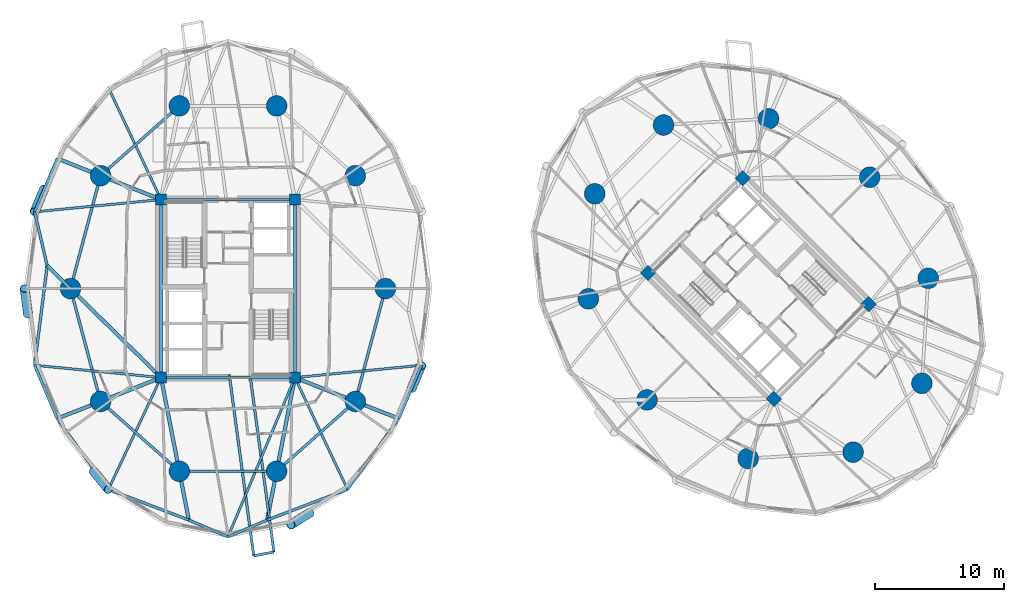
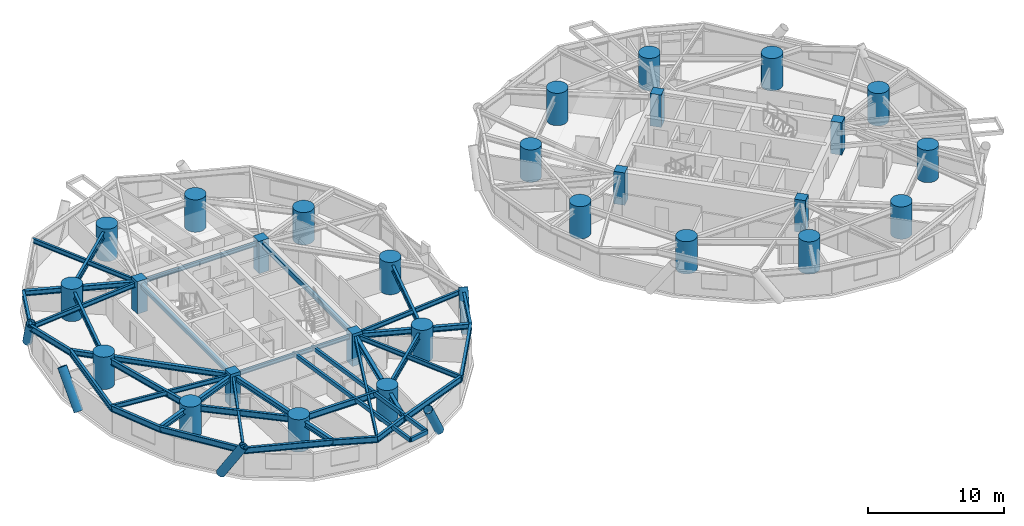
# One storey, part 1 of 18: 39 beams, 28 columns, 5 members.
"""IFC4 building model written with IfcOpenShell, lengths in metres."""

from ifc_helpers import new_model, si_unit, direction, frame, origin, origin_2d, place, context, subcontext, project, spatial, rectangle, hollow_rectangle, circle, hollow_circle, i_section, extrude, material, material_profile, profile_set, type_object, element, save


model = new_model("IFC4")

# Units and contexts
model_context = context("Model", 3, precision=1e-05, world=origin(), true_north=direction((0.0, 1.0)))
body_context = subcontext(model_context, "Body", "Model", "MODEL_VIEW")
ifc_project = project(units=[si_unit("LENGTHUNIT", "METRE"), si_unit("AREAUNIT", "SQUARE_METRE"), si_unit("VOLUMEUNIT", "CUBIC_METRE"), si_unit("PLANEANGLEUNIT", "RADIAN"), si_unit("MASSUNIT", "GRAM", prefix="KILO")], contexts=[model_context])

# Site, building, storey
site_placement = place(None, origin())
site = spatial("IfcSite", under=ifc_project, at=site_placement, CompositionType="ELEMENT")
building_placement = place(site_placement, origin())
building = spatial("IfcBuilding", under=site, at=building_placement, Name="Cununo Teusaquillo Station Towers", CompositionType="ELEMENT")
storey_placement = place(building_placement, frame((0.0, 0.0, 36.550048828125)))
storey = spatial("IfcBuildingStorey", under=building, at=storey_placement, Name="L10", CompositionType="ELEMENT", Elevation=36.550048828125)

# Columns
ifc_material_1 = material(Name="Concrete C50/60", Category="concrete")
ifc_material_profile_1 = material_profile(ifc_material_1, rectangle(XDim=0.85009765625, YDim=0.85009765625, at=origin_2d()), Name="RC-RECT-850x850")
ifc_profile_set_1 = profile_set([ifc_material_profile_1], Name="Concrete C50/60")
column_type_1 = type_object("IfcColumnType", Name="COL-CORE-Z1", PredefinedType="COLUMN", material=ifc_profile_set_1)
for number, where, z_axis, x_axis, name in (
    (1, (11.324951171875, 17.6201171875, 0.0), (0.0, 0.0, 1.0), (1.0, 0.0, 0.0), "L10 Tower A Core Column 1"),
    (2, (11.324951171875, 31.3798828125, 0.0), (0.0, 0.0, 1.0), (1.0, 0.0, 0.0), "L10 Tower A Core Column 2"),
    (3, (21.675048828125, 17.6201171875, 0.0), (0.0, 0.0, 1.0), (1.0, 0.0, 0.0), "L10 Tower A Core Column 3"),
    (4, (21.675048828125, 31.3798828125, 0.0), (0.0, 0.0, 1.0), (1.0, 0.0, 0.0), "L10 Tower A Core Column 4"),
    (5, (58.70556640625, 15.975830078125, 0.0), (0.0, 0.0, 1.0), (0.707106781187, 0.707106781187, 0.0), "L10 Tower B Core Column 1"),
    (6, (48.975830078125, 25.70556640625, 0.0), (0.0, 0.0, 1.0), (0.707106781187, 0.707106781187, 0.0), "L10 Tower B Core Column 2"),
    (7, (66.024169921875, 23.29443359375, 0.0), (0.0, 0.0, 1.0), (0.707106781187, 0.707106781187, 0.0), "L10 Tower B Core Column 3"),
    (8, (56.29443359375, 33.024169921875, 0.0), (0.0, 0.0, 1.0), (0.707106781187, 0.707106781187, 0.0), "L10 Tower B Core Column 4"),
):
    element("IfcColumn", number, at=place(storey_placement, frame(where, z_axis=z_axis, x_axis=x_axis)), inside=storey, type_object=column_type_1, Name=name, PredefinedType="COLUMN", context=body_context, shape_type="SweptSolid", body=[
        extrude(rectangle(XDim=0.85009765625, YDim=0.85009765625, at=origin_2d()), origin(), (0.0, 0.0, 1.0), 2.909912109375),
    ])
ifc_material_2 = material(Name="Concrete C60/75", Category="concrete")
ifc_material_profile_2 = material_profile(ifc_material_2, circle(Radius=0.800048828125, at=origin_2d()), Name="RC-CIRC-1600")
ifc_profile_set_2 = profile_set([ifc_material_profile_2], Name="Concrete C60/75")
column_type_2 = type_object("IfcColumnType", Name="COL-MEGA-Z1", PredefinedType="USERDEFINED", material=ifc_profile_set_2)
for number, where, z_axis, x_axis, name in (
    (9, (28.672119140625, 24.5, 0.0), (0.0, 0.0, 1.0), (1.0, 0.0, 0.0), "L10 Tower A Perimeter Column V00"),
    (10, (26.347412109375, 33.228515625, 0.0), (0.0, 0.0, 1.0), (1.0, 0.0, 0.0), "L10 Tower A Perimeter Column V02"),
    (11, (20.261474609375, 38.623291015625, 0.0), (0.0, 0.0, 1.0), (1.0, 0.0, 0.0), "L10 Tower A Perimeter Column V04"),
    (12, (12.738525390625, 38.623291015625, 0.0), (0.0, 0.0, 1.0), (1.0, 0.0, 0.0), "L10 Tower A Perimeter Column V06"),
    (13, (6.652587890625, 33.228515625, 0.0), (0.0, 0.0, 1.0), (1.0, 0.0, 0.0), "L10 Tower A Perimeter Column V08"),
    (14, (4.327880859375, 24.5, 0.0), (0.0, 0.0, 1.0), (1.0, 0.0, 0.0), "L10 Tower A Perimeter Column V10"),
    (15, (6.652587890625, 15.771484375, 0.0), (0.0, 0.0, 1.0), (1.0, 0.0, 0.0), "L10 Tower A Perimeter Column V12"),
    (16, (12.738525390625, 10.376708984375, 0.0), (0.0, 0.0, 1.0), (1.0, 0.0, 0.0), "L10 Tower A Perimeter Column V14"),
    (17, (20.261474609375, 10.376708984375, 0.0), (0.0, 0.0, 1.0), (1.0, 0.0, 0.0), "L10 Tower A Perimeter Column V16"),
    (18, (26.347412109375, 15.771484375, 0.0), (0.0, 0.0, 1.0), (1.0, 0.0, 0.0), "L10 Tower A Perimeter Column V18"),
    (19, (66.10693359375, 33.10693359375, 0.0), (0.0, 0.0, 1.0), (1.0, 0.0, 0.0), "L10 Tower B Perimeter Column V00"),
    (20, (58.291015625, 37.63525390625, 0.0), (0.0, 0.0, 1.0), (1.0, 0.0, 0.0), "L10 Tower B Perimeter Column V02"),
    (21, (50.173095703125, 37.146240234375, 0.0), (0.0, 0.0, 1.0), (1.0, 0.0, 0.0), "L10 Tower B Perimeter Column V04"),
    (22, (44.853759765625, 31.826904296875, 0.0), (0.0, 0.0, 1.0), (1.0, 0.0, 0.0), "L10 Tower B Perimeter Column V06"),
    (23, (44.36474609375, 23.708984375, 0.0), (0.0, 0.0, 1.0), (1.0, 0.0, 0.0), "L10 Tower B Perimeter Column V08"),
    (24, (48.89306640625, 15.89306640625, 0.0), (0.0, 0.0, 1.0), (1.0, 0.0, 0.0), "L10 Tower B Perimeter Column V10"),
    (25, (56.708984375, 11.36474609375, 0.0), (0.0, 0.0, 1.0), (1.0, 0.0, 0.0), "L10 Tower B Perimeter Column V12"),
    (26, (64.826904296875, 11.853759765625, 0.0), (0.0, 0.0, 1.0), (1.0, 0.0, 0.0), "L10 Tower B Perimeter Column V14"),
    (27, (70.146240234375, 17.173095703125, 0.0), (0.0, 0.0, 1.0), (1.0, 0.0, 0.0), "L10 Tower B Perimeter Column V16"),
    (28, (70.63525390625, 25.291015625, 0.0), (0.0, 0.0, 1.0), (1.0, 0.0, 0.0), "L10 Tower B Perimeter Column V18"),
):
    element("IfcColumn", number, at=place(storey_placement, frame(where, z_axis=z_axis, x_axis=x_axis)), inside=storey, type_object=column_type_2, Name=name, ObjectType="MEGA COLUMN", PredefinedType="USERDEFINED", context=body_context, shape_type="SweptSolid", body=[
        extrude(circle(Radius=0.800048828125, at=origin_2d()), origin(), (0.0, 0.0, 1.0), 2.909912109375),
    ])

# Beams
ifc_material_3 = material(Name="Steel EN 10025-2 S355J2", Category="steel")
ifc_material_profile_3 = material_profile(ifc_material_3, hollow_rectangle(XDim=0.199951171875, YDim=0.35009765625, WallThickness=0.013916015625, at=origin_2d()), Name="RHS 350x200x14")
ifc_profile_set_3 = profile_set([ifc_material_profile_3], Name="Steel EN 10025-2 S355J2")
beam_type_1 = type_object("IfcBeamType", Name="BM-BAL-CANT", PredefinedType="BEAM", material=ifc_profile_set_3)
beam_1_placement = place(storey_placement, frame((16.59765625, 17.85009765625, 2.474853515625), z_axis=(0.133963716843, -0.990986237326, 0.0), x_axis=(0.990986237326, 0.133963716843, 0.0)))
element("IfcBeam", 29, at=beam_1_placement, inside=storey, type_object=beam_type_1, Name="L10 Tower A Balcony Cantilever Bracket 2A", PredefinedType="BEAM", context=body_context, shape_type="SweptSolid", body=[
    extrude(hollow_rectangle(XDim=0.199951171875, YDim=0.35009765625, WallThickness=0.013916015625, at=origin_2d()), origin(), (0.0, 0.0, 1.0), 14.14208984375),
])
beam_2_placement = place(storey_placement, frame((18.200439453125, 17.85009765625, 2.474853515625), z_axis=(0.133965193427, -0.990986037717, 0.0), x_axis=(0.990986037717, 0.133965193427, 0.0)))
element("IfcBeam", 30, at=beam_2_placement, inside=storey, type_object=beam_type_1, Name="L10 Tower A Balcony Cantilever Bracket 2B", PredefinedType="BEAM", context=body_context, shape_type="SweptSolid", body=[
    extrude(hollow_rectangle(XDim=0.199951171875, YDim=0.35009765625, WallThickness=0.013916015625, at=origin_2d()), origin(), (0.0, 0.0, 1.0), 13.837646484375),
])
ifc_material_4 = material(Name="Steel EN 10025-2 S355J2", Category="steel")
ifc_material_profile_4 = material_profile(ifc_material_4, hollow_rectangle(XDim=0.25, YDim=0.449951171875, WallThickness=0.01611328125, at=origin_2d()), Name="RHS 450x250x16")
ifc_profile_set_4 = profile_set([ifc_material_profile_4], Name="Steel EN 10025-2 S355J2")
beam_type_2 = type_object("IfcBeamType", Name="BM-COUP-1", PredefinedType="USERDEFINED", material=ifc_profile_set_4)
for number, where, z_axis, x_axis, name in (
    (31, (11.324951171875, 17.6201171875, 2.425048828125), (0.0, 1.0, 0.0), (-1.0, 0.0, 0.0), "L10 Tower A Core Beam 1"),
    (32, (21.675048828125, 17.6201171875, 2.425048828125), (0.0, 1.0, 0.0), (-1.0, 0.0, 0.0), "L10 Tower A Core Beam 2"),
):
    element("IfcBeam", number, at=place(storey_placement, frame(where, z_axis=z_axis, x_axis=x_axis)), inside=storey, type_object=beam_type_2, Name=name, ObjectType="COUPLING BEAM", PredefinedType="USERDEFINED", context=body_context, shape_type="SweptSolid", body=[
        extrude(hollow_rectangle(XDim=0.25, YDim=0.449951171875, WallThickness=0.01611328125, at=origin_2d()), origin(), (0.0, 0.0, 1.0), 13.759765625),
    ])
ifc_material_5 = material(Name="Steel ASTM A572 Grade 50", Category="steel")
ifc_material_profile_5 = material_profile(ifc_material_5, i_section(OverallWidth=0.180908203125, OverallDepth=0.4169921875, WebThickness=0.010986328125, FlangeThickness=0.018310546875, FilletRadius=0.012939453125, at=origin_2d()), Name="W16X57")
ifc_profile_set_5 = profile_set([ifc_material_profile_5], Name="Steel ASTM A572 Grade 50")
beam_type_3 = type_object("IfcBeamType", Name="BM-JOIST-1", PredefinedType="JOIST", material=ifc_profile_set_5)
beam_3_placement = place(storey_placement, frame((11.324951171875, 31.3798828125, 2.44140625), z_axis=(-0.425472080871, 0.904971551155, 0.0), x_axis=(-0.904971551155, -0.425472080871, 0.0)))
element("IfcBeam", 33, at=beam_3_placement, inside=storey, type_object=beam_type_3, Name="L10 Tower A Radial Spandrel Joist V07", PredefinedType="JOIST", context=body_context, shape_type="SweptSolid", body=[
    extrude(i_section(OverallWidth=0.180908203125, OverallDepth=0.4169921875, WebThickness=0.010986328125, FlangeThickness=0.018310546875, FilletRadius=0.012939453125, at=origin_2d()), origin(), (0.0, 0.0, 1.0), 9.552734375),
])
for number, where, z_axis, x_axis, name in (
    (34, (11.324951171875, 31.3798828125, 2.44140625), (-0.995310719276, -0.096729375545, 0.0), (0.096729375545, -0.995310719276, 0.0), "L10 Tower A Radial Spandrel Joist V09"),
    (35, (11.324951171875, 17.6201171875, 2.44140625), (-0.995310719276, 0.096729375545, 0.0), (-0.096729375545, -0.995310719276, 0.0), "L10 Tower A Radial Spandrel Joist V11"),
):
    element("IfcBeam", number, at=place(storey_placement, frame(where, z_axis=z_axis, x_axis=x_axis)), inside=storey, type_object=beam_type_3, Name=name, PredefinedType="JOIST", context=body_context, shape_type="SweptSolid", body=[
        extrude(i_section(OverallWidth=0.180908203125, OverallDepth=0.4169921875, WebThickness=0.010986328125, FlangeThickness=0.018310546875, FilletRadius=0.012939453125, at=origin_2d()), origin(), (0.0, 0.0, 1.0), 9.82080078125),
    ])
beam_4_placement = place(storey_placement, frame((11.324951171875, 17.6201171875, 2.44140625), z_axis=(-0.425472080871, -0.904971551155, 0.0), x_axis=(0.904971551155, -0.425472080871, 0.0)))
element("IfcBeam", 36, at=beam_4_placement, inside=storey, type_object=beam_type_3, Name="L10 Tower A Radial Spandrel Joist V13", PredefinedType="JOIST", context=body_context, shape_type="SweptSolid", body=[
    extrude(i_section(OverallWidth=0.180908203125, OverallDepth=0.4169921875, WebThickness=0.010986328125, FlangeThickness=0.018310546875, FilletRadius=0.012939453125, at=origin_2d()), origin(), (0.0, 0.0, 1.0), 9.552734375),
])
beam_5_placement = place(storey_placement, frame((21.675048828125, 17.6201171875, 2.44140625), z_axis=(-0.387539558454, -0.92185307432, 0.0), x_axis=(0.92185307432, -0.387539558454, 0.0)))
element("IfcBeam", 37, at=beam_5_placement, inside=storey, type_object=beam_type_3, Name="L10 Tower A Radial Spandrel Joist V15", PredefinedType="JOIST", context=body_context, shape_type="SweptSolid", body=[
    extrude(i_section(OverallWidth=0.180908203125, OverallDepth=0.4169921875, WebThickness=0.010986328125, FlangeThickness=0.018310546875, FilletRadius=0.012939453125, at=origin_2d()), origin(), (0.0, 0.0, 1.0), 13.353515625),
])
beam_6_placement = place(storey_placement, frame((21.675048828125, 17.6201171875, 2.44140625), z_axis=(0.425472080871, -0.904971551155, 0.0), x_axis=(0.904971551155, 0.425472080871, 0.0)))
element("IfcBeam", 38, at=beam_6_placement, inside=storey, type_object=beam_type_3, Name="L10 Tower A Radial Spandrel Joist V17", PredefinedType="JOIST", context=body_context, shape_type="SweptSolid", body=[
    extrude(i_section(OverallWidth=0.180908203125, OverallDepth=0.4169921875, WebThickness=0.010986328125, FlangeThickness=0.018310546875, FilletRadius=0.012939453125, at=origin_2d()), origin(), (0.0, 0.0, 1.0), 9.552734375),
])
beam_7_placement = place(storey_placement, frame((21.675048828125, 17.6201171875, 2.44140625), z_axis=(0.995310719276, 0.096729375545, 0.0), x_axis=(-0.096729375545, 0.995310719276, 0.0)))
element("IfcBeam", 39, at=beam_7_placement, inside=storey, type_object=beam_type_3, Name="L10 Tower A Radial Spandrel Joist V19", PredefinedType="JOIST", context=body_context, shape_type="SweptSolid", body=[
    extrude(i_section(OverallWidth=0.180908203125, OverallDepth=0.4169921875, WebThickness=0.010986328125, FlangeThickness=0.018310546875, FilletRadius=0.012939453125, at=origin_2d()), origin(), (0.0, 0.0, 1.0), 9.82080078125),
])
ifc_material_6 = material(Name="Steel ASTM A572 Grade 50", Category="steel")
ifc_material_profile_6 = material_profile(ifc_material_6, i_section(OverallWidth=0.2041015625, OverallDepth=0.35009765625, WebThickness=0.008544921875, FlangeThickness=0.01513671875, FilletRadius=0.011962890625, at=origin_2d()), Name="W14X48")
ifc_profile_set_6 = profile_set([ifc_material_profile_6], Name="Steel ASTM A572 Grade 50")
beam_type_4 = type_object("IfcBeamType", Name="BM-LINTEL-1", PredefinedType="LINTEL", material=ifc_profile_set_6)
for number, where, z_axis, x_axis, name in (
    (40, (11.324951171875, 17.6201171875, 2.474853515625), (1.0, 0.0, 0.0), (0.0, 1.0, 0.0), "L10 Tower A Core Beam 3"),
    (41, (11.324951171875, 31.3798828125, 2.474853515625), (1.0, 0.0, 0.0), (0.0, 1.0, 0.0), "L10 Tower A Core Beam 4"),
):
    element("IfcBeam", number, at=place(storey_placement, frame(where, z_axis=z_axis, x_axis=x_axis)), inside=storey, type_object=beam_type_4, Name=name, PredefinedType="LINTEL", context=body_context, shape_type="SweptSolid", body=[
        extrude(i_section(OverallWidth=0.2041015625, OverallDepth=0.35009765625, WebThickness=0.008544921875, FlangeThickness=0.01513671875, FilletRadius=0.011962890625, at=origin_2d()), origin(), (0.0, 0.0, 1.0), 10.35009765625),
    ])
ifc_material_7 = material(Name="Steel ASTM A572 Grade 50", Category="steel")
ifc_material_profile_7 = material_profile(ifc_material_7, i_section(OverallWidth=0.280029296875, OverallDepth=0.462890625, WebThickness=0.0107421875, FlangeThickness=0.017333984375, FilletRadius=0.013916015625, at=origin_2d()), Name="W18X76")
ifc_profile_set_7 = profile_set([ifc_material_profile_7], Name="Steel ASTM A572 Grade 50")
beam_type_5 = type_object("IfcBeamType", Name="BM-RAD-G1", PredefinedType="BEAM", material=ifc_profile_set_7)
beam_8_placement = place(storey_placement, frame((11.324951171875, 31.3798828125, 2.41845703125), z_axis=(-0.929864879908, 0.367901216516, 0.0), x_axis=(-0.367901216516, -0.929864879908, 0.0)))
element("IfcBeam", 42, at=beam_8_placement, inside=storey, type_object=beam_type_5, Name="L10 Tower A Continuous Overhanging Radial Girder 05", PredefinedType="BEAM", context=body_context, shape_type="SweptSolid", body=[
    extrude(i_section(OverallWidth=0.280029296875, OverallDepth=0.462890625, WebThickness=0.0107421875, FlangeThickness=0.017333984375, FilletRadius=0.013916015625, at=origin_2d()), origin(), (0.0, 0.0, 1.0), 8.631591796875),
])
beam_9_placement = place(storey_placement, frame((11.324951171875, 17.6201171875, 2.41845703125), z_axis=(-0.713052701438, 0.701110437073, 0.0), x_axis=(-0.701110437073, -0.713052701438, 0.0)))
element("IfcBeam", 43, at=beam_9_placement, inside=storey, type_object=beam_type_5, Name="L10 Tower A Radial Girder 06A", PredefinedType="BEAM", context=body_context, shape_type="SweptSolid", body=[
    extrude(i_section(OverallWidth=0.280029296875, OverallDepth=0.462890625, WebThickness=0.0107421875, FlangeThickness=0.017333984375, FilletRadius=0.013916015625, at=origin_2d()), origin(), (0.0, 0.0, 1.0), 9.812744140625),
])
beam_10_placement = place(storey_placement, frame((4.327880859375, 24.5, 2.41845703125), z_axis=(-0.713066306507, 0.701096599995, 0.0), x_axis=(-0.701096599995, -0.713066306507, 0.0)))
element("IfcBeam", 44, at=beam_10_placement, inside=storey, type_object=beam_type_5, Name="L10 Tower A Perimeter Overhang Girder 06B", PredefinedType="BEAM", context=body_context, shape_type="SweptSolid", body=[
    extrude(i_section(OverallWidth=0.280029296875, OverallDepth=0.462890625, WebThickness=0.0107421875, FlangeThickness=0.017333984375, FilletRadius=0.013916015625, at=origin_2d()), origin(), (0.0, 0.0, 1.0), 2.529052734375),
])
beam_11_placement = place(storey_placement, frame((11.324951171875, 17.6201171875, 2.41845703125), z_axis=(-0.929864879908, -0.367901216516, 0.0), x_axis=(0.367901216516, -0.929864879908, 0.0)))
element("IfcBeam", 45, at=beam_11_placement, inside=storey, type_object=beam_type_5, Name="L10 Tower A Continuous Overhanging Radial Girder 07", PredefinedType="BEAM", context=body_context, shape_type="SweptSolid", body=[
    extrude(i_section(OverallWidth=0.280029296875, OverallDepth=0.462890625, WebThickness=0.0107421875, FlangeThickness=0.017333984375, FilletRadius=0.013916015625, at=origin_2d()), origin(), (0.0, 0.0, 1.0), 8.631591796875),
])
for number, where, z_axis, x_axis, name in (
    (46, (11.324951171875, 17.6201171875, 2.41845703125), (0.191549210283, -0.981483010571, 0.0), (0.981483010571, 0.191549210283, 0.0), "L10 Tower A Continuous Overhanging Radial Girder 08"),
    (47, (21.675048828125, 17.6201171875, 2.41845703125), (-0.191549210283, -0.981483010571, 0.0), (0.981483010571, -0.191549210283, 0.0), "L10 Tower A Continuous Overhanging Radial Girder 09"),
):
    element("IfcBeam", number, at=place(storey_placement, frame(where, z_axis=z_axis, x_axis=x_axis)), inside=storey, type_object=beam_type_5, Name=name, PredefinedType="BEAM", context=body_context, shape_type="SweptSolid", body=[
        extrude(i_section(OverallWidth=0.280029296875, OverallDepth=0.462890625, WebThickness=0.0107421875, FlangeThickness=0.017333984375, FilletRadius=0.013916015625, at=origin_2d()), origin(), (0.0, 0.0, 1.0), 11.22119140625),
    ])
beam_12_placement = place(storey_placement, frame((21.675048828125, 17.6201171875, 2.41845703125), z_axis=(0.929864879908, -0.367901216516, 0.0), x_axis=(0.367901216516, 0.929864879908, 0.0)))
element("IfcBeam", 48, at=beam_12_placement, inside=storey, type_object=beam_type_5, Name="L10 Tower A Continuous Overhanging Radial Girder 10", PredefinedType="BEAM", context=body_context, shape_type="SweptSolid", body=[
    extrude(i_section(OverallWidth=0.280029296875, OverallDepth=0.462890625, WebThickness=0.0107421875, FlangeThickness=0.017333984375, FilletRadius=0.013916015625, at=origin_2d()), origin(), (0.0, 0.0, 1.0), 8.631591796875),
])
ifc_material_8 = material(Name="Steel ASTM A572 Grade 50", Category="steel")
ifc_material_profile_8 = material_profile(ifc_material_8, i_section(OverallWidth=0.214111328125, OverallDepth=0.549072265625, WebThickness=0.0146484375, FlangeThickness=0.023681640625, FilletRadius=0.014892578125, at=origin_2d()), Name="W21X93")
ifc_profile_set_8 = profile_set([ifc_material_profile_8], Name="Steel ASTM A572 Grade 50")
beam_type_6 = type_object("IfcBeamType", Name="BM-RING-Z1", PredefinedType="SPANDREL", material=ifc_profile_set_8)
beam_13_placement = place(storey_placement, frame((12.738525390625, 38.623291015625, 2.37548828125), z_axis=(-0.74832120039, -0.66333655187, 0.0), x_axis=(0.66333655187, -0.74832120039, 0.0)))
element("IfcBeam", 49, at=beam_13_placement, inside=storey, type_object=beam_type_6, Name="L10 Tower A Structural Column Ring Girder 04", PredefinedType="SPANDREL", context=body_context, shape_type="SweptSolid", body=[
    extrude(i_section(OverallWidth=0.214111328125, OverallDepth=0.549072265625, WebThickness=0.0146484375, FlangeThickness=0.023681640625, FilletRadius=0.014892578125, at=origin_2d()), origin(), (0.0, 0.0, 1.0), 8.1328125),
])
for number, where, z_axis, x_axis, name in (
    (50, (6.652587890625, 33.228515625, 2.37548828125), (-0.257363196347, -0.966314744359, 0.0), (0.966314744359, -0.257363196347, 0.0), "L10 Tower A Structural Column Ring Girder 05"),
    (51, (4.327880859375, 24.5, 2.37548828125), (0.257363196347, -0.966314744359, 0.0), (0.966314744359, 0.257363196347, 0.0), "L10 Tower A Structural Column Ring Girder 06"),
):
    element("IfcBeam", number, at=place(storey_placement, frame(where, z_axis=z_axis, x_axis=x_axis)), inside=storey, type_object=beam_type_6, Name=name, PredefinedType="SPANDREL", context=body_context, shape_type="SweptSolid", body=[
        extrude(i_section(OverallWidth=0.214111328125, OverallDepth=0.549072265625, WebThickness=0.0146484375, FlangeThickness=0.023681640625, FilletRadius=0.014892578125, at=origin_2d()), origin(), (0.0, 0.0, 1.0), 9.03271484375),
    ])
beam_14_placement = place(storey_placement, frame((6.652587890625, 15.771484375, 2.37548828125), z_axis=(0.74832120039, -0.66333655187, 0.0), x_axis=(0.66333655187, 0.74832120039, 0.0)))
element("IfcBeam", 52, at=beam_14_placement, inside=storey, type_object=beam_type_6, Name="L10 Tower A Structural Column Ring Girder 07", PredefinedType="SPANDREL", context=body_context, shape_type="SweptSolid", body=[
    extrude(i_section(OverallWidth=0.214111328125, OverallDepth=0.549072265625, WebThickness=0.0146484375, FlangeThickness=0.023681640625, FilletRadius=0.014892578125, at=origin_2d()), origin(), (0.0, 0.0, 1.0), 8.1328125),
])
beam_15_placement = place(storey_placement, frame((12.738525390625, 10.376708984375, 2.37548828125), z_axis=(1.0, 0.0, 0.0), x_axis=(0.0, 1.0, 0.0)))
element("IfcBeam", 53, at=beam_15_placement, inside=storey, type_object=beam_type_6, Name="L10 Tower A Structural Column Ring Girder 08", PredefinedType="SPANDREL", context=body_context, shape_type="SweptSolid", body=[
    extrude(i_section(OverallWidth=0.214111328125, OverallDepth=0.549072265625, WebThickness=0.0146484375, FlangeThickness=0.023681640625, FilletRadius=0.014892578125, at=origin_2d()), origin(), (0.0, 0.0, 1.0), 7.52294921875),
])
beam_16_placement = place(storey_placement, frame((20.261474609375, 10.376708984375, 2.37548828125), z_axis=(0.74832120039, 0.66333655187, 0.0), x_axis=(-0.66333655187, 0.74832120039, 0.0)))
element("IfcBeam", 54, at=beam_16_placement, inside=storey, type_object=beam_type_6, Name="L10 Tower A Structural Column Ring Girder 09", PredefinedType="SPANDREL", context=body_context, shape_type="SweptSolid", body=[
    extrude(i_section(OverallWidth=0.214111328125, OverallDepth=0.549072265625, WebThickness=0.0146484375, FlangeThickness=0.023681640625, FilletRadius=0.014892578125, at=origin_2d()), origin(), (0.0, 0.0, 1.0), 8.1328125),
])
beam_17_placement = place(storey_placement, frame((26.347412109375, 15.771484375, 2.37548828125), z_axis=(0.257363196347, 0.966314744359, 0.0), x_axis=(-0.966314744359, 0.257363196347, 0.0)))
element("IfcBeam", 55, at=beam_17_placement, inside=storey, type_object=beam_type_6, Name="L10 Tower A Structural Column Ring Girder 10", PredefinedType="SPANDREL", context=body_context, shape_type="SweptSolid", body=[
    extrude(i_section(OverallWidth=0.214111328125, OverallDepth=0.549072265625, WebThickness=0.0146484375, FlangeThickness=0.023681640625, FilletRadius=0.014892578125, at=origin_2d()), origin(), (0.0, 0.0, 1.0), 9.03271484375),
])
beam_18_placement = place(storey_placement, frame((3.298828125, 34.555419921875, 2.37548828125), z_axis=(-0.390233589069, -0.920715887754, 0.0), x_axis=(0.920715887754, -0.390233589069, 0.0)))
element("IfcBeam", 56, at=beam_18_placement, inside=storey, type_object=beam_type_6, Name="L10 Tower A Spandrel Ring Beam 09", PredefinedType="SPANDREL", context=body_context, shape_type="SweptSolid", body=[
    extrude(i_section(OverallWidth=0.214111328125, OverallDepth=0.549072265625, WebThickness=0.0146484375, FlangeThickness=0.023681640625, FilletRadius=0.014892578125, at=origin_2d()), origin(), (0.0, 0.0, 1.0), 4.480712890625),
])
beam_19_placement = place(storey_placement, frame((1.55029296875, 30.429931640625, 2.37548828125), z_axis=(0.228165913287, -0.97362226557, 0.0), x_axis=(0.97362226557, 0.228165913287, 0.0)))
element("IfcBeam", 57, at=beam_19_placement, inside=storey, type_object=beam_type_6, Name="L10 Tower A Spandrel Ring Beam 10", PredefinedType="SPANDREL", context=body_context, shape_type="SweptSolid", body=[
    extrude(i_section(OverallWidth=0.214111328125, OverallDepth=0.549072265625, WebThickness=0.0146484375, FlangeThickness=0.023681640625, FilletRadius=0.014892578125, at=origin_2d()), origin(), (0.0, 0.0, 1.0), 4.269287109375),
])
beam_20_placement = place(storey_placement, frame((2.5244140625, 26.273193359375, 2.37548828125), z_axis=(-0.125458746224, -0.992098837312, 0.0), x_axis=(0.992098837312, -0.125458746224, 0.0)))
element("IfcBeam", 58, at=beam_20_placement, inside=storey, type_object=beam_type_6, Name="L10 Tower A Spandrel Ring Beam 11", PredefinedType="SPANDREL", context=body_context, shape_type="SweptSolid", body=[
    extrude(i_section(OverallWidth=0.214111328125, OverallDepth=0.549072265625, WebThickness=0.0146484375, FlangeThickness=0.023681640625, FilletRadius=0.014892578125, at=origin_2d()), origin(), (0.0, 0.0, 1.0), 7.764404296875),
])
beam_21_placement = place(storey_placement, frame((1.55029296875, 18.570068359375, 2.37548828125), z_axis=(0.390233589069, -0.920715887754, 0.0), x_axis=(0.920715887754, 0.390233589069, 0.0)))
element("IfcBeam", 59, at=beam_21_placement, inside=storey, type_object=beam_type_6, Name="L10 Tower A Spandrel Ring Beam 12", PredefinedType="SPANDREL", context=body_context, shape_type="SweptSolid", body=[
    extrude(i_section(OverallWidth=0.214111328125, OverallDepth=0.549072265625, WebThickness=0.0146484375, FlangeThickness=0.023681640625, FilletRadius=0.014892578125, at=origin_2d()), origin(), (0.0, 0.0, 1.0), 4.480712890625),
])
beam_22_placement = place(storey_placement, frame((3.298828125, 14.444580078125, 2.37548828125), z_axis=(0.586607937648, -0.809871056087, 0.0), x_axis=(0.809871056087, 0.586607937648, 0.0)))
element("IfcBeam", 60, at=beam_22_placement, inside=storey, type_object=beam_type_6, Name="L10 Tower A Spandrel Ring Beam 13", PredefinedType="SPANDREL", context=body_context, shape_type="SweptSolid", body=[
    extrude(i_section(OverallWidth=0.214111328125, OverallDepth=0.549072265625, WebThickness=0.0146484375, FlangeThickness=0.023681640625, FilletRadius=0.014892578125, at=origin_2d()), origin(), (0.0, 0.0, 1.0), 6.75341796875),
])
beam_23_placement = place(storey_placement, frame((7.260498046875, 8.97509765625, 2.37548828125), z_axis=(0.934426653529, -0.356155624937, 0.0), x_axis=(0.356155624937, 0.934426653529, 0.0)))
element("IfcBeam", 61, at=beam_23_placement, inside=storey, type_object=beam_type_6, Name="L10 Tower A Spandrel Ring Beam 14", PredefinedType="SPANDREL", context=body_context, shape_type="SweptSolid", body=[
    extrude(i_section(OverallWidth=0.214111328125, OverallDepth=0.549072265625, WebThickness=0.0146484375, FlangeThickness=0.023681640625, FilletRadius=0.014892578125, at=origin_2d()), origin(), (0.0, 0.0, 1.0), 6.64990234375),
])
for number, where, z_axis, x_axis, name in (
    (62, (13.474365234375, 6.606689453125, 2.37548828125), (0.919152702301, -0.393901396104, 0.0), (0.393901396104, 0.919152702301, 0.0), "L10 Tower A Spandrel Ring Beam 15"),
    (63, (16.5, 5.31005859375, 2.37548828125), (0.919152702301, 0.393901396104, 0.0), (-0.393901396104, 0.919152702301, 0.0), "L10 Tower A Spandrel Ring Beam 16"),
):
    element("IfcBeam", number, at=place(storey_placement, frame(where, z_axis=z_axis, x_axis=x_axis)), inside=storey, type_object=beam_type_6, Name=name, PredefinedType="SPANDREL", context=body_context, shape_type="SweptSolid", body=[
        extrude(i_section(OverallWidth=0.214111328125, OverallDepth=0.549072265625, WebThickness=0.0146484375, FlangeThickness=0.023681640625, FilletRadius=0.014892578125, at=origin_2d()), origin(), (0.0, 0.0, 1.0), 3.291748046875),
    ])
beam_24_placement = place(storey_placement, frame((19.525634765625, 6.606689453125, 2.37548828125), z_axis=(0.934426653529, 0.356155624937, 0.0), x_axis=(-0.356155624937, 0.934426653529, 0.0)))
element("IfcBeam", 64, at=beam_24_placement, inside=storey, type_object=beam_type_6, Name="L10 Tower A Spandrel Ring Beam 17", PredefinedType="SPANDREL", context=body_context, shape_type="SweptSolid", body=[
    extrude(i_section(OverallWidth=0.214111328125, OverallDepth=0.549072265625, WebThickness=0.0146484375, FlangeThickness=0.023681640625, FilletRadius=0.014892578125, at=origin_2d()), origin(), (0.0, 0.0, 1.0), 6.64990234375),
])
beam_25_placement = place(storey_placement, frame((25.739501953125, 8.97509765625, 2.37548828125), z_axis=(0.586607937648, 0.809871056087, 0.0), x_axis=(-0.809871056087, 0.586607937648, 0.0)))
element("IfcBeam", 65, at=beam_25_placement, inside=storey, type_object=beam_type_6, Name="L10 Tower A Spandrel Ring Beam 18", PredefinedType="SPANDREL", context=body_context, shape_type="SweptSolid", body=[
    extrude(i_section(OverallWidth=0.214111328125, OverallDepth=0.549072265625, WebThickness=0.0146484375, FlangeThickness=0.023681640625, FilletRadius=0.014892578125, at=origin_2d()), origin(), (0.0, 0.0, 1.0), 6.75341796875),
])
beam_26_placement = place(storey_placement, frame((29.701171875, 14.444580078125, 2.37548828125), z_axis=(0.390233589069, 0.920715887754, 0.0), x_axis=(-0.920715887754, 0.390233589069, 0.0)))
element("IfcBeam", 66, at=beam_26_placement, inside=storey, type_object=beam_type_6, Name="L10 Tower A Spandrel Ring Beam 19", PredefinedType="SPANDREL", context=body_context, shape_type="SweptSolid", body=[
    extrude(i_section(OverallWidth=0.214111328125, OverallDepth=0.549072265625, WebThickness=0.0146484375, FlangeThickness=0.023681640625, FilletRadius=0.014892578125, at=origin_2d()), origin(), (0.0, 0.0, 1.0), 4.480712890625),
])
ifc_material_9 = material(Name="Steel EN 10025-2 S355J2", Category="steel")
ifc_material_profile_9 = material_profile(ifc_material_9, hollow_rectangle(XDim=0.199951171875, YDim=0.35009765625, WallThickness=0.013916015625, at=origin_2d()), Name="RHS 350x200x14")
ifc_profile_set_9 = profile_set([ifc_material_profile_9], Name="Steel EN 10025-2 S355J2")
beam_type_7 = type_object("IfcBeamType", Name="BM-STAIR-TRIM", PredefinedType="BEAM", material=ifc_profile_set_9)
beam_27_placement = place(storey_placement, frame((18.4921875, 3.83544921875, 2.52490234375), z_axis=(0.981846285306, 0.18967833833, 0.0), x_axis=(-0.18967833833, 0.981846285306, 0.0)))
element("IfcBeam", 67, at=beam_27_placement, inside=storey, type_object=beam_type_7, Name="L10 Tower A Balcony Edge Trimmer Beam 2", PredefinedType="BEAM", context=body_context, shape_type="SweptSolid", body=[
    extrude(hollow_rectangle(XDim=0.199951171875, YDim=0.35009765625, WallThickness=0.013916015625, at=origin_2d()), origin(), (0.0, 0.0, 1.0), 1.5908203125),
])

# Members
ifc_material_10 = material(Name="Steel EN 10025-2 S355J2", Category="steel")
ifc_material_profile_10 = material_profile(ifc_material_10, hollow_circle(Radius=0.360107421875, WallThickness=0.028076171875, at=origin_2d()), Name="CHS 720x28")
ifc_profile_set_10 = profile_set([ifc_material_profile_10], Name="Steel EN 10025-2 S355J2")
member_type = type_object("IfcMemberType", Name="MBR-DIAG-Z1", PredefinedType="BRACE", material=ifc_profile_set_10)
member_1_placement = place(storey_placement, frame((2.294677734375, 32.213134765625, -0.14013671875), z_axis=(-0.213091138794, -0.51046824459, 0.833075229396), x_axis=(0.922822536657, -0.385225344231, 0.0)))
element("IfcMember", 68, at=member_1_placement, inside=storey, type_object=member_type, Name="L10 Tower A Folded-Zigzag Diagrid Tube C08", PredefinedType="BRACE", context=body_context, shape_type="SweptSolid", body=[
    extrude(hollow_circle(Radius=0.360107421875, WallThickness=0.028076171875, at=origin_2d()), origin(), (0.0, 0.0, 1.0), 3.4931640625),
])
member_2_placement = place(storey_placement, frame((1.037353515625, 22.523193359375, -0.14013671875), z_axis=(-0.072673442935, 0.56041606423, 0.825016609315), x_axis=(-0.991696433339, -0.128600871311, 0.0)))
element("IfcMember", 69, at=member_2_placement, inside=storey, type_object=member_type, Name="L10 Tower A Folded-Zigzag Diagrid Tube C10", PredefinedType="BRACE", context=body_context, shape_type="SweptSolid", body=[
    extrude(hollow_circle(Radius=0.360107421875, WallThickness=0.028076171875, at=origin_2d()), origin(), (0.0, 0.0, 1.0), 3.52734375),
])
member_3_placement = place(storey_placement, frame((6.101318359375, 10.39013671875, -0.14013671875), z_axis=(0.337235370145, -0.411671483859, 0.846639766666), x_axis=(0.773576579346, 0.633702829319, 0.0)))
element("IfcMember", 70, at=member_3_placement, inside=storey, type_object=member_type, Name="L10 Tower A Folded-Zigzag Diagrid Tube C12", PredefinedType="BRACE", context=body_context, shape_type="SweptSolid", body=[
    extrude(hollow_circle(Radius=0.360107421875, WallThickness=0.028076171875, at=origin_2d()), origin(), (0.0, 0.0, 1.0), 3.437255859375),
])
member_4_placement = place(storey_placement, frame((22.818115234375, 7.15771484375, -0.14013671875), z_axis=(-0.432091408994, -0.268730090735, 0.860860704532), x_axis=(0.528122251674, -0.84916835038, 0.0)))
element("IfcMember", 71, at=member_4_placement, inside=storey, type_object=member_type, Name="L10 Tower A Folded-Zigzag Diagrid Tube C16", PredefinedType="BRACE", context=body_context, shape_type="SweptSolid", body=[
    extrude(hollow_circle(Radius=0.360107421875, WallThickness=0.028076171875, at=origin_2d()), origin(), (0.0, 0.0, 1.0), 3.380615234375),
])
member_5_placement = place(storey_placement, frame((30.705322265625, 16.786865234375, -0.14013671875), z_axis=(0.213091138794, 0.51046824459, 0.833075229396), x_axis=(-0.922822536657, 0.385225344231, 0.0)))
element("IfcMember", 72, at=member_5_placement, inside=storey, type_object=member_type, Name="L10 Tower A Folded-Zigzag Diagrid Tube C18", PredefinedType="BRACE", context=body_context, shape_type="SweptSolid", body=[
    extrude(hollow_circle(Radius=0.360107421875, WallThickness=0.028076171875, at=origin_2d()), origin(), (0.0, 0.0, 1.0), 3.4931640625),
])

save(model, "model.ifc")
